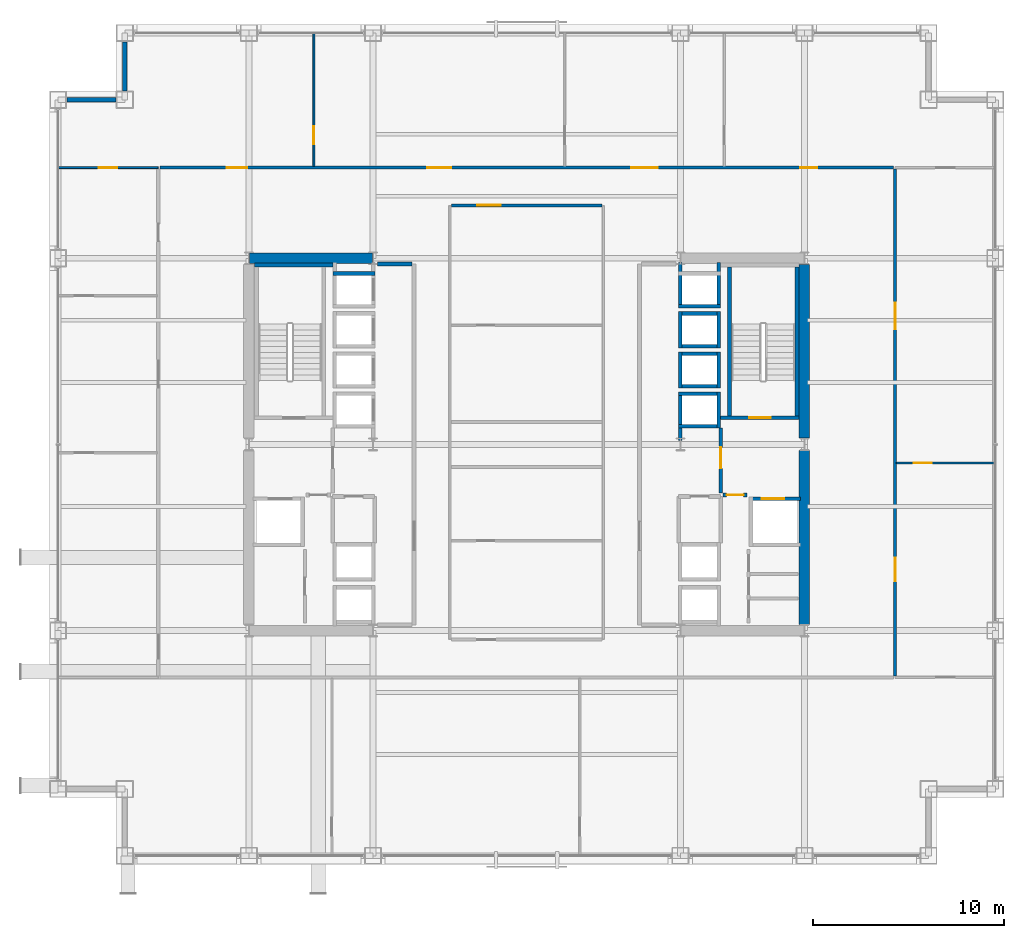
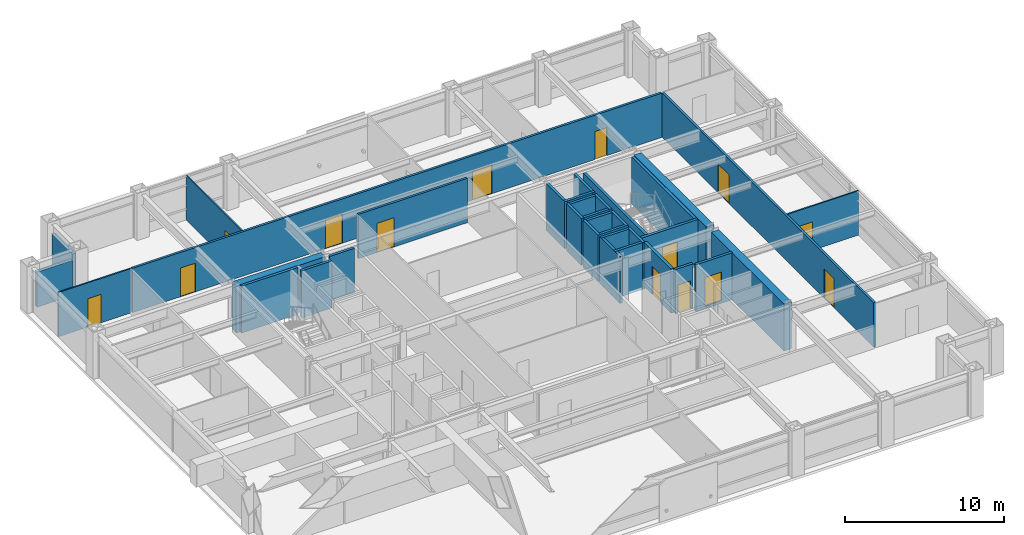
# One storey, part 27 of 29: 35 walls, 14 doors, 14 openings.
"""IFC4 building model written with IfcOpenShell, lengths in metres."""

import ifcopenshell
import ifcopenshell.guid

model = None  # the IFC model being written
_history = None  # IfcOwnerHistory: only IFC2X3 demands one
_inside = {}  # id of a spatial element -> (the spatial element, [elements in it])
_under = {}  # id of a project, library or spatial element -> (it, [spatial elements below it])
_declared = {}  # id of a project -> (the project, [libraries it declares])
_typed = {}  # id of a type object -> (the type object, [elements of that type])
_made_of = {}  # id of a material, layer set ... -> (it, [elements and type objects made of it])


def new_model(schema):
    """Start an empty IFC model of exactly this schema.

    Asked for "IFC4X3", IfcOpenShell would pick the latest addendum, in which some entities
    have other attributes; the version numbers below select the first issue.
    IFC2X3 requires an IfcOwnerHistory on every rooted entity: one is made here for all.
    """
    global model, _history
    if schema == "IFC4X3":
        model = ifcopenshell.file(schema_version=(4, 3, 0, 0))
    else:
        model = ifcopenshell.file(schema=schema)
    _inside.clear()
    _under.clear()
    _declared.clear()
    _typed.clear()
    _made_of.clear()
    _history = None
    if model.schema == "IFC2X3":
        org = make("IfcOrganization", Name="unknown")
        user = make(
            "IfcPersonAndOrganization",
            ThePerson=make("IfcPerson", FamilyName="unknown"),
            TheOrganization=org,
        )
        app = make(
            "IfcApplication",
            ApplicationDeveloper=org,
            Version="unknown",
            ApplicationFullName="unknown",
            ApplicationIdentifier="unknown",
        )
        _history = make(
            "IfcOwnerHistory",
            OwningUser=user,
            OwningApplication=app,
            ChangeAction="ADDED",
            CreationDate=0,
        )
    return model


def make(cls, **values):
    """One entity of the class cls with the attributes given. An attribute that is None is left unset."""
    return model.create_entity(
        cls, **{name: value for name, value in values.items() if value is not None}
    )


def rooted(cls, **values):
    """An entity with a GlobalId (a new one), such as an element, a storey or a relation."""
    return make(cls, GlobalId=ifcopenshell.guid.new(), OwnerHistory=_history, **values)


def si_unit(unit_type, name, prefix=None):
    """IfcSIUnit, for example si_unit("LENGTHUNIT", "METRE", prefix="MILLI")."""
    return make("IfcSIUnit", UnitType=unit_type, Prefix=prefix, Name=name)


def assignment(units):
    """IfcUnitAssignment: the units of a project."""
    return None if units is None else make("IfcUnitAssignment", Units=units)


def point(xyz):
    """IfcCartesianPoint."""
    return None if xyz is None else make("IfcCartesianPoint", Coordinates=xyz)


def direction(xyz):
    """IfcDirection."""
    return None if xyz is None else make("IfcDirection", DirectionRatios=xyz)


def frame(location, z_axis=None, x_axis=None):
    """IfcAxis2Placement3D, a coordinate frame: its origin and axes. An axis left out is left unset."""
    return make(
        "IfcAxis2Placement3D",
        Location=point(location),
        Axis=direction(z_axis),
        RefDirection=direction(x_axis),
    )


def frame_2d(location, x_axis=None):
    """IfcAxis2Placement2D, a coordinate frame in the plane: its origin and x axis."""
    return make(
        "IfcAxis2Placement2D", Location=point(location), RefDirection=direction(x_axis)
    )


def origin():
    """The frame at (0, 0, 0) with its axes left unset."""
    return frame((0.0, 0.0, 0.0))


def place(relative_to, where):
    """IfcLocalPlacement: puts the frame where relative to a parent placement (None: the world)."""
    return make(
        "IfcLocalPlacement", PlacementRelTo=relative_to, RelativePlacement=where
    )


def context(
    kind, dimensions, precision=None, world=None, true_north=None, identifier=None
):
    """IfcGeometricRepresentationContext, for example the 3D "Model" context."""
    return make(
        "IfcGeometricRepresentationContext",
        ContextIdentifier=identifier,
        ContextType=kind,
        CoordinateSpaceDimension=dimensions,
        Precision=precision,
        WorldCoordinateSystem=world,
        TrueNorth=true_north,
    )


def subcontext(parent, identifier, kind, view, scale=None):
    """IfcGeometricRepresentationSubContext, for example "Body" below "Model"."""
    return make(
        "IfcGeometricRepresentationSubContext",
        ContextIdentifier=identifier,
        ContextType=kind,
        ParentContext=parent,
        TargetScale=scale,
        TargetView=view,
    )


def project(units=None, contexts=None):
    """IfcProject with its units and contexts."""
    return rooted(
        "IfcProject",
        Name="project",
        RepresentationContexts=contexts,
        UnitsInContext=assignment(units),
    )


def spatial(cls, under=None, at=None, **own):
    """A site, building, storey or space (cls), placed at a placement, below another one or the project."""
    s = rooted(cls, ObjectPlacement=at, **own)
    if under is not None:
        _under.setdefault(under.id(), (under, []))[1].append(s)
    return s


def profile(cls, at=None, kind="AREA", **sizes):
    """A parametric profile (cls). Its sizes go by their IFC names, for example OverallWidth=200.0."""
    return make(cls, ProfileType=kind, Position=at, **sizes)


def rectangle(**sizes):
    """IfcRectangleProfileDef."""
    return profile("IfcRectangleProfileDef", **sizes)


def extrude(swept, where, along, depth):
    """IfcExtrudedAreaSolid: the profile swept, set in the frame where, extruded along a direction by depth."""
    return make(
        "IfcExtrudedAreaSolid",
        SweptArea=swept,
        Position=where,
        ExtrudedDirection=direction(along),
        Depth=depth,
    )


def shape(context_of_items, identifier, shape_type, items):
    """IfcShapeRepresentation: the items that make up one representation, for example the "Body"."""
    return make(
        "IfcShapeRepresentation",
        ContextOfItems=context_of_items,
        RepresentationIdentifier=identifier,
        RepresentationType=shape_type,
        Items=items,
    )


def material(Name=None, Category=None):
    """IfcMaterial."""
    return make("IfcMaterial", Name=Name, Category=Category)


def layer(
    of_material, thickness, ventilated=None, Name=None, Category=None, Priority=None
):
    """IfcMaterialLayer: one layer of a wall or slab, of a material (None: an air gap)."""
    return make(
        "IfcMaterialLayer",
        Material=of_material,
        LayerThickness=thickness,
        IsVentilated=ventilated,
        Name=Name,
        Category=Category,
        Priority=Priority,
    )


def layer_set(layers, Name=None):
    """IfcMaterialLayerSet."""
    return make("IfcMaterialLayerSet", MaterialLayers=layers, LayerSetName=Name)


def made_of(thing, what):
    """Note that an element or type object is made of a material, layer set ...; save() writes the relation."""
    if what is not None:
        _made_of.setdefault(what.id(), (what, []))[1].append(thing)
    return thing


def type_object(cls, material=None, **own):
    """A type object (cls), such as IfcWallType, which elements share."""
    return made_of(rooted(cls, **own), material)


def element(
    cls,
    number,
    at=None,
    inside=None,
    cuts=None,
    type_object=None,
    material=None,
    context=None,
    identifier="Body",
    shape_type=None,
    held_by="IfcProductDefinitionShape",
    body=None,
    shapes=None,
    **own,
):
    """One element of the class cls, such as IfcWall. Its Tag is "e" and its number.

    at: its placement. inside: the storey or other place that contains it. cuts: it is an
    opening in that element (IfcRelVoidsElement). A single representation is given by context,
    identifier, shape_type and body (its items); several are given by shapes. held_by: the class
    of the entity that holds the representations. save() writes the other relations.
    """
    e = rooted(cls, Tag="e%d" % number, ObjectPlacement=at, **own)
    if body is not None:
        shapes = [shape(context, identifier, shape_type, body)]
    if shapes is not None:
        e.Representation = make(held_by, Representations=shapes)
    if inside is not None:
        _inside.setdefault(inside.id(), (inside, []))[1].append(e)
    if cuts is not None:
        rooted(
            "IfcRelVoidsElement", RelatingBuildingElement=cuts, RelatedOpeningElement=e
        )
    if type_object is not None:
        _typed.setdefault(type_object.id(), (type_object, []))[1].append(e)
    return made_of(e, material)


def fill(opening, filler):
    """IfcRelFillsElement: the door or window that sits in an opening."""
    return rooted(
        "IfcRelFillsElement",
        RelatingOpeningElement=opening,
        RelatedBuildingElement=filler,
    )


def aggregate(whole, parts):
    """IfcRelAggregates: a whole, such as a stair, and the parts it consists of."""
    return rooted("IfcRelAggregates", RelatingObject=whole, RelatedObjects=parts)


def save(model, path):
    """Write the relations noted so far, then the file.

    IfcRelAggregates (storeys below a building ...), IfcRelContainedInSpatialStructure (elements
    in a storey), IfcRelDefinesByType, IfcRelAssociatesMaterial and IfcRelDeclares: one each for
    every whole, place, type object, material and project.
    """
    for whole, parts in _under.values():
        aggregate(whole, parts)
    for where, things in _inside.values():
        rooted(
            "IfcRelContainedInSpatialStructure",
            RelatedElements=things,
            RelatingStructure=where,
        )
    for kind, things in _typed.values():
        rooted("IfcRelDefinesByType", RelatedObjects=things, RelatingType=kind)
    for what, things in _made_of.values():
        rooted("IfcRelAssociatesMaterial", RelatedObjects=things, RelatingMaterial=what)
    for by, libraries in _declared.values():
        rooted("IfcRelDeclares", RelatingContext=by, RelatedDefinitions=libraries)
    model.write(path)


model = new_model("IFC4")

# Units and contexts
model_context = context("Model", 3, precision=1e-05, world=origin(), true_north=direction((0.0, 1.0)))
body_context = subcontext(model_context, "Body", "Model", "MODEL_VIEW")
ifc_project = project(units=[si_unit("LENGTHUNIT", "METRE"), si_unit("AREAUNIT", "SQUARE_METRE"), si_unit("VOLUMEUNIT", "CUBIC_METRE"), si_unit("PLANEANGLEUNIT", "RADIAN"), si_unit("MASSUNIT", "GRAM", prefix="KILO")], contexts=[model_context])

# Site, building, storey
site_placement = place(None, origin())
site = spatial("IfcSite", under=ifc_project, at=site_placement, CompositionType="ELEMENT")
building_placement = place(site_placement, origin())
building = spatial("IfcBuilding", under=site, at=building_placement, Name="Brelmoor Portico Tower", CompositionType="ELEMENT")
storey_placement = place(building_placement, frame((0.0, 0.0, 52.800048828125)))
storey = spatial("IfcBuildingStorey", under=building, at=storey_placement, Name="L13", CompositionType="ELEMENT", Elevation=52.800048828125)

# Walls
ifc_material_1 = material(Name="Concrete C60", Category="concrete")
ifc_layer_1 = layer(ifc_material_1, 0.550048828125)
ifc_layer_set_1 = layer_set([ifc_layer_1], Name="Concrete C60")
wall_type_1 = type_object("IfcWallType", Name="WL-CORE-550", PredefinedType="SHEAR", material=ifc_layer_set_1)
wall_1_placement = place(storey_placement, frame((-14.530029296875, 9.75, -0.199951171875), z_axis=(0.0, 0.0, 1.0), x_axis=(1.0, 0.0, 0.0)))
element("IfcWall", 1, at=wall_1_placement, inside=storey, type_object=wall_type_1, Name="L13 WC North Shear Wall", PredefinedType="SHEAR", context=body_context, shape_type="SweptSolid", body=[
    extrude(rectangle(XDim=6.4599609375, YDim=0.550048828125, at=frame_2d((3.22998046875, 0.0))), origin(), (0.0, 0.0, 1.0), 3.599853515625),
])
for number, where, z_axis, x_axis, name in (
    (2, (14.550048828125, -9.425048828125, -0.199951171875), (0.0, 0.0, 1.0), (0.0, 1.0, 0.0), "L13 EC Outer South Shear Wall"),
    (3, (14.550048828125, 0.324951171875, -0.199951171875), (0.0, 0.0, 1.0), (0.0, 1.0, 0.0), "L13 EC Outer North Shear Wall"),
):
    element("IfcWall", number, at=place(storey_placement, frame(where, z_axis=z_axis, x_axis=x_axis)), inside=storey, type_object=wall_type_1, Name=name, PredefinedType="SHEAR", context=body_context, shape_type="SweptSolid", body=[
        extrude(rectangle(XDim=9.10009765625, YDim=0.550048828125, at=frame_2d((4.550048828125, 0.0))), origin(), (0.0, 0.0, 1.0), 3.599853515625),
    ])
ifc_material_2 = material(Name="Precast Concrete C40 Insulated Facade Wall", Category="concrete")
ifc_layer_2 = layer(ifc_material_2, 0.25)
ifc_layer_set_2 = layer_set([ifc_layer_2], Name="Precast Concrete C40 Insulated Facade Wall")
wall_type_2 = type_object("IfcWallType", Name="WL-EXT-250", PredefinedType="STANDARD", material=ifc_layer_set_2)
for number, where, z_axis, x_axis, name in (
    (4, (-24.090087890625, 18.050048828125, 0.0), (0.0, 0.0, 1.0), (1.0, 0.0, 0.0), "L13 Corner Notch Facade Wall NNWH1"),
    (5, (-21.050048828125, 18.510009765625, 0.0), (0.0, 0.0, 1.0), (0.0, 1.0, 0.0), "L13 Corner Notch Facade Wall NNWV1"),
):
    element("IfcWall", number, at=place(storey_placement, frame(where, z_axis=z_axis, x_axis=x_axis)), inside=storey, type_object=wall_type_2, Name=name, PredefinedType="STANDARD", context=body_context, shape_type="SweptSolid", body=[
        extrude(rectangle(XDim=2.580078125, YDim=0.25, at=frame_2d((1.2900390625, 0.0))), origin(), (0.0, 0.0, 1.0), 2.699951171875),
    ])

# Wall, opening, door
ifc_material_3 = material(Name="Demountable Glazed Office Partition", Category="aluminium")
ifc_layer_3 = layer(ifc_material_3, 0.10009765625)
ifc_layer_set_3 = layer_set([ifc_layer_3], Name="Demountable Glazed Office Partition")
wall_type_3 = type_object("IfcWallType", Name="WL-PART-100", PredefinedType="PARTITIONING", material=ifc_layer_set_3)
wall_2_placement = place(storey_placement, frame((-11.149658203125, 14.56005859375, 0.0), z_axis=(0.0, 0.0, 1.0), x_axis=(0.0, 1.0, 0.0)))
wall_2 = element("IfcWall", 6, at=wall_2_placement, inside=storey, type_object=wall_type_3, Name="L13 North Suite Partition 1", PredefinedType="PARTITIONING", context=body_context, shape_type="SweptSolid", body=[
    extrude(rectangle(XDim=7.0, YDim=0.10009765625, at=frame_2d((3.5, 0.0))), origin(), (0.0, 0.0, 1.0), 3.39990234375),
])
opening_1_placement = place(wall_2_placement, frame((1.14990234375, 0.0, 0.0)))
opening_1 = element("IfcOpeningElement", 7, at=opening_1_placement, cuts=wall_2, Name="Opening D-IN2", PredefinedType="OPENING", context=body_context, shape_type="SweptSolid", body=[
    extrude(rectangle(XDim=0.9599609375, YDim=2.179931640625, at=frame_2d((0.47998046875, 1.08984375))), frame((0.0, 0.06005859375, 0.0), z_axis=(0.0, -1.0, 0.0), x_axis=(1.0, 0.0, 0.0)), (0.0, 0.0, 1.0), 0.1201171875),
])
ifc_material_4 = material(Name="Lacquered Timber Suite Door", Category="wood")
door_type_1 = type_object("IfcDoorType", Name="DR-INT-950", OperationType="NOTDEFINED", PredefinedType="DOOR", material=ifc_material_4)
door_1_placement = place(opening_1_placement, origin())
door_1 = element("IfcDoor", 8, at=door_1_placement, inside=storey, type_object=door_type_1, Name="D-0595 L13 North Suite Connecting Door 1", OperationType="SINGLE_SWING_RIGHT", OverallHeight=2.179931640625, OverallWidth=0.9599609375, PredefinedType="DOOR", context=body_context, shape_type="SweptSolid", body=[
    extrude(rectangle(XDim=0.9599609375, YDim=2.179931640625, at=frame_2d((0.47998046875, 1.08984375))), frame((0.0, 0.02490234375, 0.0), z_axis=(0.0, -1.0, 0.0), x_axis=(1.0, 0.0, 0.0)), (0.0, 0.0, 1.0), 0.050048828125),
])
fill(opening_1, door_1)

wall_3_placement = place(storey_placement, frame((-24.56005859375, 14.5, 0.0), z_axis=(0.0, 0.0, 1.0), x_axis=(1.0, 0.0, 0.0)))
wall_3 = element("IfcWall", 9, at=wall_3_placement, inside=storey, type_object=wall_type_3, Name="L13 North Outer Closure WL", PredefinedType="PARTITIONING", context=body_context, shape_type="SweptSolid", body=[
    extrude(rectangle(XDim=5.260009765625, YDim=0.10009765625, at=frame_2d((2.6298828125, 0.0))), origin(), (0.0, 0.0, 1.0), 3.39990234375),
])
opening_2_placement = place(wall_3_placement, frame((2.14990234375, 0.0, 0.0)))
opening_2 = element("IfcOpeningElement", 10, at=opening_2_placement, cuts=wall_3, Name="Opening D-IN2", PredefinedType="OPENING", context=body_context, shape_type="SweptSolid", body=[
    extrude(rectangle(XDim=0.9599609375, YDim=2.179931640625, at=frame_2d((0.47998046875, 1.08984375))), frame((0.0, 0.06005859375, 0.0), z_axis=(0.0, -1.0, 0.0), x_axis=(1.0, 0.0, 0.0)), (0.0, 0.0, 1.0), 0.1201171875),
])
door_2_placement = place(opening_2_placement, origin())
door_2 = element("IfcDoor", 11, at=door_2_placement, inside=storey, type_object=door_type_1, Name="D-0599 L13 WL North Corner Suite Door", OperationType="SINGLE_SWING_RIGHT", OverallHeight=2.179931640625, OverallWidth=0.9599609375, PredefinedType="DOOR", context=body_context, shape_type="SweptSolid", body=[
    extrude(rectangle(XDim=0.9599609375, YDim=2.179931640625, at=frame_2d((0.47998046875, 1.08984375))), frame((0.0, 0.02490234375, 0.0), z_axis=(0.0, -1.0, 0.0), x_axis=(1.0, 0.0, 0.0)), (0.0, 0.0, 1.0), 0.050048828125),
])
fill(opening_2, door_2)

wall_4_placement = place(storey_placement, frame((19.360107421875, -0.97314453125, 0.0), z_axis=(0.0, 0.0, 1.0), x_axis=(1.0, 0.0, 0.0)))
wall_4 = element("IfcWall", 12, at=wall_4_placement, inside=storey, type_object=wall_type_3, Name="L13 E Wing Partition 1", PredefinedType="PARTITIONING", context=body_context, shape_type="SweptSolid", body=[
    extrude(rectangle(XDim=5.199951171875, YDim=0.10009765625, at=frame_2d((2.60009765625, 0.0))), origin(), (0.0, 0.0, 1.0), 3.39990234375),
])
opening_3_placement = place(wall_4_placement, frame((0.89990234375, 0.0, 0.0)))
opening_3 = element("IfcOpeningElement", 13, at=opening_3_placement, cuts=wall_4, Name="Opening D-IN2", PredefinedType="OPENING", context=body_context, shape_type="SweptSolid", body=[
    extrude(rectangle(XDim=0.9599609375, YDim=2.179931640625, at=frame_2d((0.47998046875, 1.08984375))), frame((0.0, 0.06005859375, 0.0), z_axis=(0.0, -1.0, 0.0), x_axis=(1.0, 0.0, 0.0)), (0.0, 0.0, 1.0), 0.1201171875),
])
door_3_placement = place(opening_3_placement, origin())
door_3 = element("IfcDoor", 14, at=door_3_placement, inside=storey, type_object=door_type_1, Name="D-0607 L13 E Wing Suite Connecting Door 1", OperationType="SINGLE_SWING_LEFT", OverallHeight=2.179931640625, OverallWidth=0.9599609375, PredefinedType="DOOR", context=body_context, shape_type="SweptSolid", body=[
    extrude(rectangle(XDim=0.9599609375, YDim=2.179931640625, at=frame_2d((0.47998046875, 1.08984375))), frame((0.0, 0.02490234375, 0.0), z_axis=(0.0, -1.0, 0.0), x_axis=(1.0, 0.0, 0.0)), (0.0, 0.0, 1.0), 0.050048828125),
])
fill(opening_3, door_3)

ifc_material_5 = material(Name="Twin-Frame Acoustic Partition", Category="gypsum")
ifc_layer_4 = layer(ifc_material_5, 0.159912109375)
ifc_layer_set_4 = layer_set([ifc_layer_4], Name="Twin-Frame Acoustic Partition")
wall_type_4 = type_object("IfcWallType", Name="WL-PART-160", PredefinedType="PARTITIONING", material=ifc_layer_set_4)
wall_5_placement = place(storey_placement, frame((-3.949951171875, 12.52001953125, 0.0), z_axis=(0.0, 0.0, 1.0), x_axis=(1.0, 0.0, 0.0)))
wall_5 = element("IfcWall", 15, at=wall_5_placement, inside=storey, type_object=wall_type_4, Name="L13 Central Meeting Corridor Wall", PredefinedType="PARTITIONING", context=body_context, shape_type="SweptSolid", body=[
    extrude(rectangle(XDim=7.89990234375, YDim=0.159912109375, at=frame_2d((3.949951171875, 0.0))), origin(), (0.0, 0.0, 1.0), 3.39990234375),
])
opening_4_placement = place(wall_5_placement, frame((1.35009765625, 0.0, 0.0)))
opening_4 = element("IfcOpeningElement", 16, at=opening_4_placement, cuts=wall_5, Name="Opening D-SU1", PredefinedType="OPENING", context=body_context, shape_type="SweptSolid", body=[
    extrude(rectangle(XDim=1.239990234375, YDim=2.239990234375, at=frame_2d((0.6201171875, 1.1201171875))), frame((0.0, 0.08984375, 0.0), z_axis=(0.0, -1.0, 0.0), x_axis=(1.0, 0.0, 0.0)), (0.0, 0.0, 1.0), 0.179931640625),
])
ifc_material_6 = material(Name="Glazed Timber Executive Suite Door", Category="wood")
door_type_2 = type_object("IfcDoorType", Name="DR-SUITE-1200", OperationType="NOTDEFINED", PredefinedType="DOOR", material=ifc_material_6)
door_4_placement = place(opening_4_placement, origin())
door_4 = element("IfcDoor", 17, at=door_4_placement, inside=storey, type_object=door_type_2, Name="D-0575 L13 Client Meeting Room Door", OperationType="SINGLE_SWING_RIGHT", OverallHeight=2.239990234375, OverallWidth=1.239990234375, PredefinedType="DOOR", context=body_context, shape_type="SweptSolid", body=[
    extrude(rectangle(XDim=1.239990234375, YDim=2.239990234375, at=frame_2d((0.6201171875, 1.1201171875))), frame((0.0, 0.02490234375, 0.0), z_axis=(0.0, -1.0, 0.0), x_axis=(1.0, 0.0, 0.0)), (0.0, 0.0, 1.0), 0.050048828125),
])
fill(opening_4, door_4)

# Wall, openings, doors
wall_6_placement = place(storey_placement, frame((-19.199951171875, 14.5, 0.0), z_axis=(0.0, 0.0, 1.0), x_axis=(1.0, 0.0, 0.0)))
wall_6 = element("IfcWall", 18, at=wall_6_placement, inside=storey, type_object=wall_type_4, Name="L13 North Corridor Partition", PredefinedType="PARTITIONING", context=body_context, shape_type="SweptSolid", body=[
    extrude(rectangle(XDim=38.39990234375, YDim=0.159912109375, at=frame_2d((19.199951171875, 0.0))), origin(), (0.0, 0.0, 1.0), 3.39990234375),
])
opening_5_placement = place(wall_6_placement, frame((3.4951171875, 0.0, 0.0)))
opening_5 = element("IfcOpeningElement", 19, at=opening_5_placement, cuts=wall_6, Name="Opening D-OF2", PredefinedType="OPENING", context=body_context, shape_type="SweptSolid", body=[
    extrude(rectangle(XDim=1.06005859375, YDim=2.199951171875, at=frame_2d((0.530029296875, 1.10009765625))), frame((0.0, 0.08984375, 0.0), z_axis=(0.0, -1.0, 0.0), x_axis=(1.0, 0.0, 0.0)), (0.0, 0.0, 1.0), 0.179931640625),
])
opening_6_placement = place(wall_6_placement, frame((14.000732421875, 0.0, 0.0)))
opening_6 = element("IfcOpeningElement", 20, at=opening_6_placement, cuts=wall_6, Name="Opening D-SU1", PredefinedType="OPENING", context=body_context, shape_type="SweptSolid", body=[
    extrude(rectangle(XDim=1.239990234375, YDim=2.239990234375, at=frame_2d((0.6201171875, 1.1201171875))), frame((0.0, 0.08984375, 0.0), z_axis=(0.0, -1.0, 0.0), x_axis=(1.0, 0.0, 0.0)), (0.0, 0.0, 1.0), 0.179931640625),
])
opening_7_placement = place(wall_6_placement, frame((24.672119140625, 0.0, 0.0)))
opening_7 = element("IfcOpeningElement", 21, at=opening_7_placement, cuts=wall_6, Name="Opening D-SU2", PredefinedType="OPENING", context=body_context, shape_type="SweptSolid", body=[
    extrude(rectangle(XDim=1.39990234375, YDim=2.199951171875, at=frame_2d((0.699951171875, 1.10009765625))), frame((0.0, 0.08984375, 0.0), z_axis=(0.0, -1.0, 0.0), x_axis=(1.0, 0.0, 0.0)), (0.0, 0.0, 1.0), 0.179931640625),
])
opening_8_placement = place(wall_6_placement, frame((33.526611328125, 0.0, 0.0)))
opening_8 = element("IfcOpeningElement", 22, at=opening_8_placement, cuts=wall_6, Name="Opening D-IN1", PredefinedType="OPENING", context=body_context, shape_type="SweptSolid", body=[
    extrude(rectangle(XDim=0.89990234375, YDim=2.14990234375, at=frame_2d((0.449951171875, 1.074951171875))), frame((0.0, 0.08984375, 0.0), z_axis=(0.0, -1.0, 0.0), x_axis=(1.0, 0.0, 0.0)), (0.0, 0.0, 1.0), 0.179931640625),
])
door_type_3 = type_object("IfcDoorType", Name="DR-INT-900", OperationType="NOTDEFINED", PredefinedType="DOOR", material=ifc_material_4)
door_5_placement = place(opening_8_placement, origin())
door_5 = element("IfcDoor", 23, at=door_5_placement, inside=storey, type_object=door_type_3, Name="D-0594 L13 North Project Mail and Print Room 4 Door", OperationType="SINGLE_SWING_LEFT", OverallHeight=2.14990234375, OverallWidth=0.89990234375, PredefinedType="DOOR", context=body_context, shape_type="SweptSolid", body=[
    extrude(rectangle(XDim=0.89990234375, YDim=2.14990234375, at=frame_2d((0.449951171875, 1.074951171875))), frame((0.0, 0.02490234375, 0.0), z_axis=(0.0, -1.0, 0.0), x_axis=(1.0, 0.0, 0.0)), (0.0, 0.0, 1.0), 0.050048828125),
])
fill(opening_8, door_5)
ifc_material_7 = material(Name="Hardwood Acoustic Veneer Door", Category="wood")
door_type_4 = type_object("IfcDoorType", Name="DR-OFFICE-1050", OperationType="NOTDEFINED", PredefinedType="DOOR", material=ifc_material_7)
door_6_placement = place(opening_5_placement, origin())
door_6 = element("IfcDoor", 24, at=door_6_placement, inside=storey, type_object=door_type_4, Name="D-0591 L13 North Open-Plan Office 1 Door", OperationType="SINGLE_SWING_LEFT", OverallHeight=2.199951171875, OverallWidth=1.06005859375, PredefinedType="DOOR", context=body_context, shape_type="SweptSolid", body=[
    extrude(rectangle(XDim=1.06005859375, YDim=2.199951171875, at=frame_2d((0.530029296875, 1.10009765625))), frame((0.0, 0.02490234375, 0.0), z_axis=(0.0, -1.0, 0.0), x_axis=(1.0, 0.0, 0.0)), (0.0, 0.0, 1.0), 0.050048828125),
])
fill(opening_5, door_6)
door_7_placement = place(opening_6_placement, origin())
door_7 = element("IfcDoor", 25, at=door_7_placement, inside=storey, type_object=door_type_2, Name="D-0592 L13 North Cellular Office 2 Door", OperationType="SINGLE_SWING_RIGHT", OverallHeight=2.239990234375, OverallWidth=1.239990234375, PredefinedType="DOOR", context=body_context, shape_type="SweptSolid", body=[
    extrude(rectangle(XDim=1.239990234375, YDim=2.239990234375, at=frame_2d((0.6201171875, 1.1201171875))), frame((0.0, 0.02490234375, 0.0), z_axis=(0.0, -1.0, 0.0), x_axis=(1.0, 0.0, 0.0)), (0.0, 0.0, 1.0), 0.050048828125),
])
fill(opening_6, door_7)
ifc_material_8 = material(Name="Double-Leaf Acoustic Suite Door", Category="timber")
door_type_5 = type_object("IfcDoorType", Name="DR-SUITE-1400", OperationType="NOTDEFINED", PredefinedType="DOOR", material=ifc_material_8)
door_8_placement = place(opening_7_placement, origin())
door_8 = element("IfcDoor", 26, at=door_8_placement, inside=storey, type_object=door_type_5, Name="D-0593 L13 North Technical Storage Room 3 Door", OperationType="DOUBLE_DOOR_SINGLE_SWING", OverallHeight=2.199951171875, OverallWidth=1.39990234375, PredefinedType="DOOR", context=body_context, shape_type="SweptSolid", body=[
    extrude(rectangle(XDim=1.39990234375, YDim=2.199951171875, at=frame_2d((0.699951171875, 1.10009765625))), frame((0.0, 0.02490234375, 0.0), z_axis=(0.0, -1.0, 0.0), x_axis=(1.0, 0.0, 0.0)), (0.0, 0.0, 1.0), 0.050048828125),
])
fill(opening_7, door_8)

wall_7_placement = place(storey_placement, frame((19.300048828125, -12.1201171875, 0.0), z_axis=(0.0, 0.0, 1.0), x_axis=(0.0, 1.0, 0.0)))
wall_7 = element("IfcWall", 27, at=wall_7_placement, inside=storey, type_object=wall_type_4, Name="L13 E Wing Corridor Wall", PredefinedType="PARTITIONING", context=body_context, shape_type="SweptSolid", body=[
    extrude(rectangle(XDim=26.5400390625, YDim=0.159912109375, at=frame_2d((13.27001953125, 0.0))), origin(), (0.0, 0.0, 1.0), 3.39990234375),
])
opening_9_placement = place(wall_7_placement, frame((4.953369140625, 0.0, 0.0)))
opening_9 = element("IfcOpeningElement", 28, at=opening_9_placement, cuts=wall_7, Name="Opening D-SU1", PredefinedType="OPENING", context=body_context, shape_type="SweptSolid", body=[
    extrude(rectangle(XDim=1.239990234375, YDim=2.239990234375, at=frame_2d((0.6201171875, 1.1201171875))), frame((0.0, 0.08984375, 0.0), z_axis=(0.0, -1.0, 0.0), x_axis=(1.0, 0.0, 0.0)), (0.0, 0.0, 1.0), 0.179931640625),
])
opening_10_placement = place(wall_7_placement, frame((18.143310546875, 0.0, 0.0)))
opening_10 = element("IfcOpeningElement", 29, at=opening_10_placement, cuts=wall_7, Name="Opening D-SU2", PredefinedType="OPENING", context=body_context, shape_type="SweptSolid", body=[
    extrude(rectangle(XDim=1.39990234375, YDim=2.199951171875, at=frame_2d((0.699951171875, 1.10009765625))), frame((0.0, 0.08984375, 0.0), z_axis=(0.0, -1.0, 0.0), x_axis=(1.0, 0.0, 0.0)), (0.0, 0.0, 1.0), 0.179931640625),
])
door_9_placement = place(opening_9_placement, origin())
door_9 = element("IfcDoor", 30, at=door_9_placement, inside=storey, type_object=door_type_2, Name="D-0605 L13 E Executive Study 1 Door", OperationType="SINGLE_SWING_RIGHT", OverallHeight=2.239990234375, OverallWidth=1.239990234375, PredefinedType="DOOR", context=body_context, shape_type="SweptSolid", body=[
    extrude(rectangle(XDim=1.239990234375, YDim=2.239990234375, at=frame_2d((0.6201171875, 1.1201171875))), frame((0.0, 0.02490234375, 0.0), z_axis=(0.0, -1.0, 0.0), x_axis=(1.0, 0.0, 0.0)), (0.0, 0.0, 1.0), 0.050048828125),
])
fill(opening_9, door_9)
door_10_placement = place(opening_10_placement, origin())
door_10 = element("IfcDoor", 31, at=door_10_placement, inside=storey, type_object=door_type_5, Name="D-0606 L13 E Partner Office 2 Door", OperationType="DOUBLE_DOOR_SINGLE_SWING", OverallHeight=2.199951171875, OverallWidth=1.39990234375, PredefinedType="DOOR", context=body_context, shape_type="SweptSolid", body=[
    extrude(rectangle(XDim=1.39990234375, YDim=2.199951171875, at=frame_2d((0.699951171875, 1.10009765625))), frame((0.0, 0.02490234375, 0.0), z_axis=(0.0, -1.0, 0.0), x_axis=(1.0, 0.0, 0.0)), (0.0, 0.0, 1.0), 0.050048828125),
])
fill(opening_10, door_10)

# Wall
ifc_material_9 = material(Name="Double-Stud Gypsum Fire Partition", Category="gypsum")
ifc_layer_5 = layer(ifc_material_9, 0.199951171875)
ifc_layer_set_5 = layer_set([ifc_layer_5], Name="Double-Stud Gypsum Fire Partition")
wall_type_5 = type_object("IfcWallType", Name="WL-PART-200", PredefinedType="PARTITIONING", material=ifc_layer_set_5)
wall_8_placement = place(storey_placement, frame((-6.02001953125, 9.449951171875, 0.0), z_axis=(0.0, 0.0, 1.0), x_axis=(-1.0, 0.0, 0.0)))
element("IfcWall", 32, at=wall_8_placement, inside=storey, type_object=wall_type_5, Name="L13 W Lift Lobby North End Wall", PredefinedType="PARTITIONING", context=body_context, shape_type="SweptSolid", body=[
    extrude(rectangle(XDim=1.800048828125, YDim=0.199951171875, at=frame_2d((0.89990234375, 0.0))), origin(), (0.0, 0.0, 1.0), 3.39990234375),
])

# Wall, opening, door
wall_9_placement = place(storey_placement, frame((10.159912109375, -2.550048828125, 0.0), z_axis=(0.0, 0.0, 1.0), x_axis=(0.0, 1.0, 0.0)))
wall_9 = element("IfcWall", 33, at=wall_9_placement, inside=storey, type_object=wall_type_5, Name="L13 E Firefighting Lobby Wall", PredefinedType="PARTITIONING", context=body_context, shape_type="SweptSolid", body=[
    extrude(rectangle(XDim=3.400146484375, YDim=0.199951171875, at=frame_2d((1.7001953125, 0.0))), origin(), (0.0, 0.0, 1.0), 3.39990234375),
])
opening_11_placement = place(wall_9_placement, frame((1.300048828125, 0.0, 0.0)))
opening_11 = element("IfcOpeningElement", 34, at=opening_11_placement, cuts=wall_9, Name="Opening D-FR1", PredefinedType="OPENING", context=body_context, shape_type="SweptSolid", body=[
    extrude(rectangle(XDim=1.10009765625, YDim=2.14990234375, at=frame_2d((0.550048828125, 1.074951171875))), frame((0.0, 0.10986328125, 0.0), z_axis=(0.0, -1.0, 0.0), x_axis=(1.0, 0.0, 0.0)), (0.0, 0.0, 1.0), 0.219970703125),
])
ifc_material_10 = material(Name="Painted Galvanised Steel Fire Door", Category="steel")
door_type_6 = type_object("IfcDoorType", Name="DR-FIRE-1100", OperationType="NOTDEFINED", PredefinedType="DOOR", material=ifc_material_10)
door_11_placement = place(opening_11_placement, origin())
door_11 = element("IfcDoor", 35, at=door_11_placement, inside=storey, type_object=door_type_6, Name="D-0587 L13 E Firefighting Lobby Door", OperationType="SINGLE_SWING_RIGHT", OverallHeight=2.14990234375, OverallWidth=1.10009765625, PredefinedType="DOOR", context=body_context, shape_type="SweptSolid", body=[
    extrude(rectangle(XDim=1.10009765625, YDim=2.14990234375, at=frame_2d((0.550048828125, 1.074951171875))), frame((0.0, 0.02490234375, 0.0), z_axis=(0.0, -1.0, 0.0), x_axis=(1.0, 0.0, 0.0)), (0.0, 0.0, 1.0), 0.050048828125),
])
fill(opening_11, door_11)

wall_10_placement = place(storey_placement, frame((10.280029296875, -2.64990234375, 0.0), z_axis=(0.0, 0.0, 1.0), x_axis=(1.0, 0.0, 0.0)))
wall_10 = element("IfcWall", 36, at=wall_10_placement, inside=storey, type_object=wall_type_5, Name="L13 E Firefighting Lobby South Wall", PredefinedType="PARTITIONING", context=body_context, shape_type="SweptSolid", body=[
    extrude(rectangle(XDim=1.27001953125, YDim=0.199951171875, at=frame_2d((0.635009765625, 0.0))), origin(), (0.0, 0.0, 1.0), 3.39990234375),
])
opening_12_placement = place(wall_10_placement, frame((0.18505859375, 0.0, 0.0)))
opening_12 = element("IfcOpeningElement", 37, at=opening_12_placement, cuts=wall_10, Name="Opening D-IN1", PredefinedType="OPENING", context=body_context, shape_type="SweptSolid", body=[
    extrude(rectangle(XDim=0.89990234375, YDim=2.14990234375, at=frame_2d((0.449951171875, 1.074951171875))), frame((0.0, 0.10986328125, 0.0), z_axis=(0.0, -1.0, 0.0), x_axis=(1.0, 0.0, 0.0)), (0.0, 0.0, 1.0), 0.219970703125),
])
door_12_placement = place(opening_12_placement, origin())
door_12 = element("IfcDoor", 38, at=door_12_placement, inside=storey, type_object=door_type_3, Name="D-0582 L13 E Core Service Vestibule Door", OperationType="SINGLE_SWING_LEFT", OverallHeight=2.14990234375, OverallWidth=0.89990234375, PredefinedType="DOOR", context=body_context, shape_type="SweptSolid", body=[
    extrude(rectangle(XDim=0.89990234375, YDim=2.14990234375, at=frame_2d((0.449951171875, 1.074951171875))), frame((0.0, 0.02490234375, 0.0), z_axis=(0.0, -1.0, 0.0), x_axis=(1.0, 0.0, 0.0)), (0.0, 0.0, 1.0), 0.050048828125),
])
fill(opening_12, door_12)

# Walls
ifc_material_11 = material(Name="Precast Concrete C40", Category="concrete")
ifc_layer_6 = layer(ifc_material_11, 0.18994140625)
ifc_layer_set_6 = layer_set([ifc_layer_6], Name="Precast Concrete C40")
wall_type_6 = type_object("IfcWallType", Name="WL-SHAFT-180", PredefinedType="SOLIDWALL", material=ifc_layer_set_6)
wall_11_placement = place(storey_placement, frame((-10.14990234375, 8.955078125, -0.199951171875), z_axis=(0.0, 0.0, 1.0), x_axis=(1.0, 0.0, 0.0)))
element("IfcWall", 39, at=wall_11_placement, inside=storey, type_object=wall_type_6, Name="L13 Lift PL4 Hoistway North Wall", PredefinedType="SOLIDWALL", context=body_context, shape_type="SweptSolid", body=[
    extrude(rectangle(XDim=2.199951171875, YDim=0.18994140625, at=frame_2d((1.10009765625, 0.0))), origin(), (0.0, 0.0, 1.0), 3.599853515625),
])
wall_12_placement = place(storey_placement, frame((8.044921875, 0.2099609375, -0.199951171875), z_axis=(0.0, 0.0, 1.0), x_axis=(0.0, 1.0, 0.0)))
element("IfcWall", 40, at=wall_12_placement, inside=storey, type_object=wall_type_6, Name="L13 Lift PM1 Hoistway Front Wall", PredefinedType="SOLIDWALL", context=body_context, shape_type="SweptSolid", body=[
    extrude(rectangle(XDim=2.5400390625, YDim=0.18994140625, at=frame_2d((1.27001953125, 0.0))), origin(), (0.0, 0.0, 1.0), 3.599853515625),
])
wall_13_placement = place(storey_placement, frame((10.054931640625, 0.85009765625, -0.199951171875), z_axis=(0.0, 0.0, 1.0), x_axis=(0.0, 1.0, 0.0)))
element("IfcWall", 41, at=wall_13_placement, inside=storey, type_object=wall_type_6, Name="L13 Lift PM1 Hoistway Back Wall", PredefinedType="SOLIDWALL", context=body_context, shape_type="SweptSolid", body=[
    extrude(rectangle(XDim=1.89990234375, YDim=0.18994140625, at=frame_2d((0.949951171875, 0.0))), origin(), (0.0, 0.0, 1.0), 3.599853515625),
])
for number, where, z_axis, x_axis, name in (
    (42, (7.949951171875, 2.655029296875, -0.199951171875), (0.0, 0.0, 1.0), (1.0, 0.0, 0.0), "L13 Lift PM1 Hoistway North Wall"),
    (43, (7.949951171875, 0.945068359375, -0.199951171875), (0.0, 0.0, 1.0), (1.0, 0.0, 0.0), "L13 Lift PM1 Hoistway South Wall"),
):
    element("IfcWall", number, at=place(storey_placement, frame(where, z_axis=z_axis, x_axis=x_axis)), inside=storey, type_object=wall_type_6, Name=name, PredefinedType="SOLIDWALL", context=body_context, shape_type="SweptSolid", body=[
        extrude(rectangle(XDim=2.199951171875, YDim=0.18994140625, at=frame_2d((1.10009765625, 0.0))), origin(), (0.0, 0.0, 1.0), 3.599853515625),
    ])
for number, where, z_axis, x_axis, name in (
    (44, (8.044921875, 2.949951171875, -0.199951171875), (0.0, 0.0, 1.0), (0.0, 1.0, 0.0), "L13 Lift PM2 Hoistway Front Wall"),
    (45, (10.054931640625, 2.949951171875, -0.199951171875), (0.0, 0.0, 1.0), (0.0, 1.0, 0.0), "L13 Lift PM2 Hoistway Back Wall"),
):
    element("IfcWall", number, at=place(storey_placement, frame(where, z_axis=z_axis, x_axis=x_axis)), inside=storey, type_object=wall_type_6, Name=name, PredefinedType="SOLIDWALL", context=body_context, shape_type="SweptSolid", body=[
        extrude(rectangle(XDim=1.900146484375, YDim=0.18994140625, at=frame_2d((0.9501953125, 0.0))), origin(), (0.0, 0.0, 1.0), 3.599853515625),
    ])
for number, where, z_axis, x_axis, name in (
    (46, (7.949951171875, 4.7548828125, -0.199951171875), (0.0, 0.0, 1.0), (1.0, 0.0, 0.0), "L13 Lift PM2 Hoistway North Wall"),
    (47, (7.949951171875, 3.044921875, -0.199951171875), (0.0, 0.0, 1.0), (1.0, 0.0, 0.0), "L13 Lift PM2 Hoistway South Wall"),
):
    element("IfcWall", number, at=place(storey_placement, frame(where, z_axis=z_axis, x_axis=x_axis)), inside=storey, type_object=wall_type_6, Name=name, PredefinedType="SOLIDWALL", context=body_context, shape_type="SweptSolid", body=[
        extrude(rectangle(XDim=2.199951171875, YDim=0.18994140625, at=frame_2d((1.10009765625, 0.0))), origin(), (0.0, 0.0, 1.0), 3.599853515625),
    ])
for number, where, z_axis, x_axis, name in (
    (48, (8.044921875, 5.050048828125, -0.199951171875), (0.0, 0.0, 1.0), (0.0, 1.0, 0.0), "L13 Lift PM3 Hoistway Front Wall"),
    (49, (10.054931640625, 5.050048828125, -0.199951171875), (0.0, 0.0, 1.0), (0.0, 1.0, 0.0), "L13 Lift PM3 Hoistway Back Wall"),
):
    element("IfcWall", number, at=place(storey_placement, frame(where, z_axis=z_axis, x_axis=x_axis)), inside=storey, type_object=wall_type_6, Name=name, PredefinedType="SOLIDWALL", context=body_context, shape_type="SweptSolid", body=[
        extrude(rectangle(XDim=1.89990234375, YDim=0.18994140625, at=frame_2d((0.949951171875, 0.0))), origin(), (0.0, 0.0, 1.0), 3.599853515625),
    ])
for number, where, z_axis, x_axis, name in (
    (50, (7.949951171875, 6.85498046875, -0.199951171875), (0.0, 0.0, 1.0), (1.0, 0.0, 0.0), "L13 Lift PM3 Hoistway North Wall"),
    (51, (7.949951171875, 5.14501953125, -0.199951171875), (0.0, 0.0, 1.0), (1.0, 0.0, 0.0), "L13 Lift PM3 Hoistway South Wall"),
):
    element("IfcWall", number, at=place(storey_placement, frame(where, z_axis=z_axis, x_axis=x_axis)), inside=storey, type_object=wall_type_6, Name=name, PredefinedType="SOLIDWALL", context=body_context, shape_type="SweptSolid", body=[
        extrude(rectangle(XDim=2.199951171875, YDim=0.18994140625, at=frame_2d((1.10009765625, 0.0))), origin(), (0.0, 0.0, 1.0), 3.599853515625),
    ])
for number, where, z_axis, x_axis, name in (
    (52, (8.044921875, 7.14990234375, -0.199951171875), (0.0, 0.0, 1.0), (0.0, 1.0, 0.0), "L13 Lift PM4 Hoistway Front Wall"),
    (53, (10.054931640625, 7.14990234375, -0.199951171875), (0.0, 0.0, 1.0), (0.0, 1.0, 0.0), "L13 Lift PM4 Hoistway Back Wall"),
):
    element("IfcWall", number, at=place(storey_placement, frame(where, z_axis=z_axis, x_axis=x_axis)), inside=storey, type_object=wall_type_6, Name=name, PredefinedType="SOLIDWALL", context=body_context, shape_type="SweptSolid", body=[
        extrude(rectangle(XDim=2.3701171875, YDim=0.18994140625, at=frame_2d((1.18505859375, 0.0))), origin(), (0.0, 0.0, 1.0), 3.599853515625),
    ])
wall_14_placement = place(storey_placement, frame((7.949951171875, 7.2451171875, -0.199951171875), z_axis=(0.0, 0.0, 1.0), x_axis=(1.0, 0.0, 0.0)))
element("IfcWall", 54, at=wall_14_placement, inside=storey, type_object=wall_type_6, Name="L13 Lift PM4 Hoistway South Wall", PredefinedType="SOLIDWALL", context=body_context, shape_type="SweptSolid", body=[
    extrude(rectangle(XDim=2.199951171875, YDim=0.18994140625, at=frame_2d((1.10009765625, 0.0))), origin(), (0.0, 0.0, 1.0), 3.599853515625),
])

# Wall, opening, door
wall_15_placement = place(storey_placement, frame((11.64990234375, -2.844970703125, -0.199951171875), z_axis=(0.0, 0.0, 1.0), x_axis=(1.0, 0.0, 0.0)))
wall_15 = element("IfcWall", 55, at=wall_15_placement, inside=storey, type_object=wall_type_6, Name="L13 Lift FF2 Hoistway Front Wall", PredefinedType="SOLIDWALL", context=body_context, shape_type="SweptSolid", body=[
    extrude(rectangle(XDim=2.68017578125, YDim=0.18994140625, at=frame_2d((1.340087890625, 0.0))), origin(), (0.0, 0.0, 1.0), 3.599853515625),
])
opening_13_placement = place(wall_15_placement, frame((0.64990234375, 0.0, 0.199951171875)))
opening_13 = element("IfcOpeningElement", 56, at=opening_13_placement, cuts=wall_15, Name="Opening LD-02", PredefinedType="OPENING", context=body_context, shape_type="SweptSolid", body=[
    extrude(rectangle(XDim=1.199951171875, YDim=2.199951171875, at=frame_2d((0.60009765625, 1.10009765625))), frame((0.0, 0.10498046875, 0.0), z_axis=(0.0, -1.0, 0.0), x_axis=(1.0, 0.0, 0.0)), (0.0, 0.0, 1.0), 0.2099609375),
])
ifc_material_12 = material(Name="Brushed Stainless Steel Firefighting Lift Door", Category="steel")
door_type_7 = type_object("IfcDoorType", Name="DR-LIFT-1200", OperationType="NOTDEFINED", PredefinedType="DOOR", material=ifc_material_12)
door_13_placement = place(opening_13_placement, origin())
door_13 = element("IfcDoor", 57, at=door_13_placement, inside=storey, type_object=door_type_7, Name="D-0614 L13 Lift FF2 Sliding Landing Door", OperationType="SLIDING_TO_LEFT", OverallHeight=2.199951171875, OverallWidth=1.199951171875, PredefinedType="DOOR", context=body_context, shape_type="SweptSolid", body=[
    extrude(rectangle(XDim=1.199951171875, YDim=2.199951171875, at=frame_2d((0.60009765625, 1.10009765625))), frame((0.0, 0.02490234375, 0.0), z_axis=(0.0, -1.0, 0.0), x_axis=(1.0, 0.0, 0.0)), (0.0, 0.0, 1.0), 0.050048828125),
])
fill(opening_13, door_13)

# Walls
ifc_material_13 = material(Name="Concrete C40", Category="concrete")
ifc_layer_7 = layer(ifc_material_13, 0.199951171875)
ifc_layer_set_7 = layer_set([ifc_layer_7], Name="Concrete C40")
wall_type_7 = type_object("IfcWallType", Name="WL-SHAFT-RC200", PredefinedType="SOLIDWALL", material=ifc_layer_set_7)
wall_16_placement = place(storey_placement, frame((14.14990234375, 1.5, -0.199951171875), z_axis=(0.0, 0.0, 1.0), x_axis=(0.0, 1.0, 0.0)))
element("IfcWall", 58, at=wall_16_placement, inside=storey, type_object=wall_type_7, Name="L13 ST-E Structural Stair Wall Outer", PredefinedType="SOLIDWALL", context=body_context, shape_type="SweptSolid", body=[
    extrude(rectangle(XDim=7.800048828125, YDim=0.199951171875, at=frame_2d((3.89990234375, 0.0))), origin(), (0.0, 0.0, 1.0), 3.599853515625),
])
wall_17_placement = place(storey_placement, frame((-14.25, 9.39990234375, -0.199951171875), z_axis=(0.0, 0.0, 1.0), x_axis=(1.0, 0.0, 0.0)))
element("IfcWall", 59, at=wall_17_placement, inside=storey, type_object=wall_type_7, Name="L13 ST-W Structural Stair Wall N", PredefinedType="SOLIDWALL", context=body_context, shape_type="SweptSolid", body=[
    extrude(rectangle(XDim=4.10009765625, YDim=0.199951171875, at=frame_2d((2.050048828125, 0.0))), origin(), (0.0, 0.0, 1.0), 3.599853515625),
])

# Wall, opening, door
wall_18_placement = place(storey_placement, frame((10.14990234375, 1.39990234375, -0.199951171875), z_axis=(0.0, 0.0, 1.0), x_axis=(1.0, 0.0, 0.0)))
wall_18 = element("IfcWall", 60, at=wall_18_placement, inside=storey, type_object=wall_type_7, Name="L13 ST-E Structural Stair Wall S", PredefinedType="SOLIDWALL", context=body_context, shape_type="SweptSolid", body=[
    extrude(rectangle(XDim=4.10009765625, YDim=0.199951171875, at=frame_2d((2.050048828125, 0.0))), origin(), (0.0, 0.0, 1.0), 3.599853515625),
])
opening_14_placement = place(wall_18_placement, frame((1.5, 0.0, 0.199951171875)))
opening_14 = element("IfcOpeningElement", 61, at=opening_14_placement, cuts=wall_18, Name="Opening D-ST1", PredefinedType="OPENING", context=body_context, shape_type="SweptSolid", body=[
    extrude(rectangle(XDim=1.1201171875, YDim=2.179931640625, at=frame_2d((0.56005859375, 1.08984375))), frame((0.0, 0.10986328125, 0.0), z_axis=(0.0, -1.0, 0.0), x_axis=(1.0, 0.0, 0.0)), (0.0, 0.0, 1.0), 0.219970703125),
])
door_type_8 = type_object("IfcDoorType", Name="DR-STAIR-1100", OperationType="NOTDEFINED", PredefinedType="DOOR", material=ifc_material_10)
door_14_placement = place(opening_14_placement, origin())
door_14 = element("IfcDoor", 62, at=door_14_placement, inside=storey, type_object=door_type_8, Name="D-0602 L13 ST-E Protected Exit Stair Door", OperationType="SINGLE_SWING_RIGHT", OverallHeight=2.179931640625, OverallWidth=1.1201171875, PredefinedType="DOOR", context=body_context, shape_type="SweptSolid", body=[
    extrude(rectangle(XDim=1.1201171875, YDim=2.179931640625, at=frame_2d((0.56005859375, 1.08984375))), frame((0.0, 0.02490234375, 0.0), z_axis=(0.0, -1.0, 0.0), x_axis=(1.0, 0.0, 0.0)), (0.0, 0.0, 1.0), 0.050048828125),
])
fill(opening_14, door_14)

# Wall
wall_19_placement = place(storey_placement, frame((10.6298828125, 1.5, -0.199951171875), z_axis=(0.0, 0.0, 1.0), x_axis=(0.0, 1.0, 0.0)))
element("IfcWall", 63, at=wall_19_placement, inside=storey, type_object=wall_type_7, Name="L13 ST-E Structural Stair Wall Inner", PredefinedType="SOLIDWALL", context=body_context, shape_type="SweptSolid", body=[
    extrude(rectangle(XDim=7.800048828125, YDim=0.199951171875, at=frame_2d((3.89990234375, 0.0))), origin(), (0.0, 0.0, 1.0), 3.599853515625),
])

save(model, "model.ifc")
